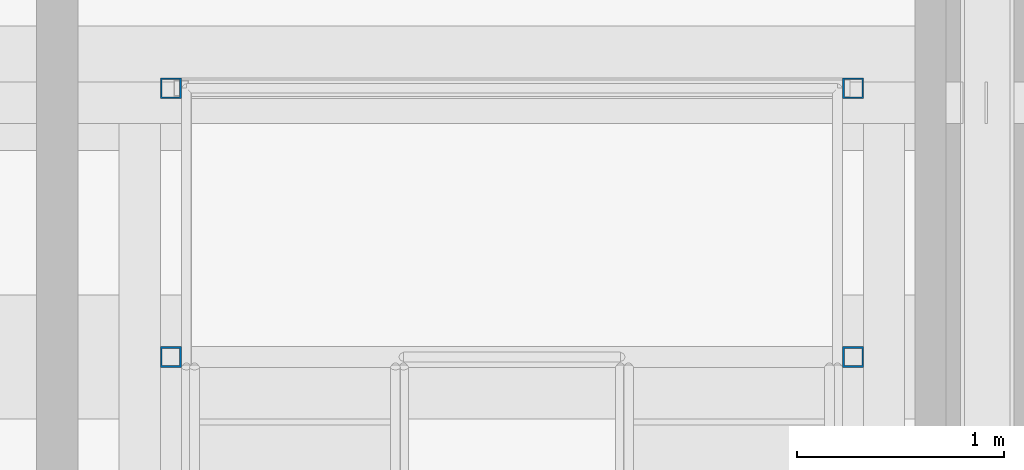
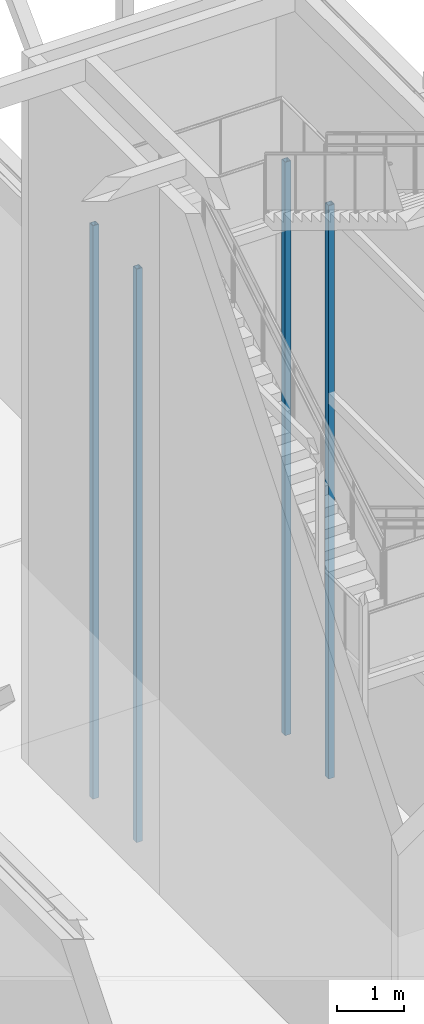
# One storey, part 4 of 646: 4 columns.
"""IFC4 building model written with IfcOpenShell, lengths in metres."""

import ifcopenshell
import ifcopenshell.guid

model = None  # the IFC model being written
_history = None  # IfcOwnerHistory: only IFC2X3 demands one
_inside = {}  # id of a spatial element -> (the spatial element, [elements in it])
_under = {}  # id of a project, library or spatial element -> (it, [spatial elements below it])
_declared = {}  # id of a project -> (the project, [libraries it declares])
_typed = {}  # id of a type object -> (the type object, [elements of that type])
_made_of = {}  # id of a material, layer set ... -> (it, [elements and type objects made of it])


def new_model(schema):
    """Start an empty IFC model of exactly this schema.

    Asked for "IFC4X3", IfcOpenShell would pick the latest addendum, in which some entities
    have other attributes; the version numbers below select the first issue.
    IFC2X3 requires an IfcOwnerHistory on every rooted entity: one is made here for all.
    """
    global model, _history
    if schema == "IFC4X3":
        model = ifcopenshell.file(schema_version=(4, 3, 0, 0))
    else:
        model = ifcopenshell.file(schema=schema)
    _inside.clear()
    _under.clear()
    _declared.clear()
    _typed.clear()
    _made_of.clear()
    _history = None
    if model.schema == "IFC2X3":
        org = make("IfcOrganization", Name="unknown")
        user = make(
            "IfcPersonAndOrganization",
            ThePerson=make("IfcPerson", FamilyName="unknown"),
            TheOrganization=org,
        )
        app = make(
            "IfcApplication",
            ApplicationDeveloper=org,
            Version="unknown",
            ApplicationFullName="unknown",
            ApplicationIdentifier="unknown",
        )
        _history = make(
            "IfcOwnerHistory",
            OwningUser=user,
            OwningApplication=app,
            ChangeAction="ADDED",
            CreationDate=0,
        )
    return model


def make(cls, **values):
    """One entity of the class cls with the attributes given. An attribute that is None is left unset."""
    return model.create_entity(
        cls, **{name: value for name, value in values.items() if value is not None}
    )


def rooted(cls, **values):
    """An entity with a GlobalId (a new one), such as an element, a storey or a relation."""
    return make(cls, GlobalId=ifcopenshell.guid.new(), OwnerHistory=_history, **values)


def si_unit(unit_type, name, prefix=None):
    """IfcSIUnit, for example si_unit("LENGTHUNIT", "METRE", prefix="MILLI")."""
    return make("IfcSIUnit", UnitType=unit_type, Prefix=prefix, Name=name)


def assignment(units):
    """IfcUnitAssignment: the units of a project."""
    return None if units is None else make("IfcUnitAssignment", Units=units)


def point(xyz):
    """IfcCartesianPoint."""
    return None if xyz is None else make("IfcCartesianPoint", Coordinates=xyz)


def direction(xyz):
    """IfcDirection."""
    return None if xyz is None else make("IfcDirection", DirectionRatios=xyz)


def frame(location, z_axis=None, x_axis=None):
    """IfcAxis2Placement3D, a coordinate frame: its origin and axes. An axis left out is left unset."""
    return make(
        "IfcAxis2Placement3D",
        Location=point(location),
        Axis=direction(z_axis),
        RefDirection=direction(x_axis),
    )


def frame_2d(location, x_axis=None):
    """IfcAxis2Placement2D, a coordinate frame in the plane: its origin and x axis."""
    return make(
        "IfcAxis2Placement2D", Location=point(location), RefDirection=direction(x_axis)
    )


def origin():
    """The frame at (0, 0, 0) with its axes left unset."""
    return frame((0.0, 0.0, 0.0))


def origin_2d():
    """The frame at (0, 0) in the plane with its x axis left unset."""
    return frame_2d((0.0, 0.0))


def place(relative_to, where):
    """IfcLocalPlacement: puts the frame where relative to a parent placement (None: the world)."""
    return make(
        "IfcLocalPlacement", PlacementRelTo=relative_to, RelativePlacement=where
    )


def context(
    kind, dimensions, precision=None, world=None, true_north=None, identifier=None
):
    """IfcGeometricRepresentationContext, for example the 3D "Model" context."""
    return make(
        "IfcGeometricRepresentationContext",
        ContextIdentifier=identifier,
        ContextType=kind,
        CoordinateSpaceDimension=dimensions,
        Precision=precision,
        WorldCoordinateSystem=world,
        TrueNorth=true_north,
    )


def subcontext(parent, identifier, kind, view, scale=None):
    """IfcGeometricRepresentationSubContext, for example "Body" below "Model"."""
    return make(
        "IfcGeometricRepresentationSubContext",
        ContextIdentifier=identifier,
        ContextType=kind,
        ParentContext=parent,
        TargetScale=scale,
        TargetView=view,
    )


def project(units=None, contexts=None):
    """IfcProject with its units and contexts."""
    return rooted(
        "IfcProject",
        Name="project",
        RepresentationContexts=contexts,
        UnitsInContext=assignment(units),
    )


def spatial(cls, under=None, at=None, **own):
    """A site, building, storey or space (cls), placed at a placement, below another one or the project."""
    s = rooted(cls, ObjectPlacement=at, **own)
    if under is not None:
        _under.setdefault(under.id(), (under, []))[1].append(s)
    return s


def profile(cls, at=None, kind="AREA", **sizes):
    """A parametric profile (cls). Its sizes go by their IFC names, for example OverallWidth=200.0."""
    return make(cls, ProfileType=kind, Position=at, **sizes)


def hollow_rectangle(**sizes):
    """IfcRectangleHollowProfileDef."""
    return profile("IfcRectangleHollowProfileDef", **sizes)


def extrude(swept, where, along, depth):
    """IfcExtrudedAreaSolid: the profile swept, set in the frame where, extruded along a direction by depth."""
    return make(
        "IfcExtrudedAreaSolid",
        SweptArea=swept,
        Position=where,
        ExtrudedDirection=direction(along),
        Depth=depth,
    )


def shape(context_of_items, identifier, shape_type, items):
    """IfcShapeRepresentation: the items that make up one representation, for example the "Body"."""
    return make(
        "IfcShapeRepresentation",
        ContextOfItems=context_of_items,
        RepresentationIdentifier=identifier,
        RepresentationType=shape_type,
        Items=items,
    )


def material(Name=None, Category=None):
    """IfcMaterial."""
    return make("IfcMaterial", Name=Name, Category=Category)


def material_profile(
    of_material, cross_section, Name=None, Category=None, Priority=None
):
    """IfcMaterialProfile: a cross section and its material."""
    return make(
        "IfcMaterialProfile",
        Name=Name,
        Material=of_material,
        Profile=cross_section,
        Priority=Priority,
        Category=Category,
    )


def profile_set(profiles, Name=None, composite=None):
    """IfcMaterialProfileSet."""
    return make(
        "IfcMaterialProfileSet",
        Name=Name,
        MaterialProfiles=profiles,
        CompositeProfile=composite,
    )


def made_of(thing, what):
    """Note that an element or type object is made of a material, layer set ...; save() writes the relation."""
    if what is not None:
        _made_of.setdefault(what.id(), (what, []))[1].append(thing)
    return thing


def type_object(cls, material=None, **own):
    """A type object (cls), such as IfcWallType, which elements share."""
    return made_of(rooted(cls, **own), material)


def element(
    cls,
    number,
    at=None,
    inside=None,
    cuts=None,
    type_object=None,
    material=None,
    context=None,
    identifier="Body",
    shape_type=None,
    held_by="IfcProductDefinitionShape",
    body=None,
    shapes=None,
    **own,
):
    """One element of the class cls, such as IfcWall. Its Tag is "e" and its number.

    at: its placement. inside: the storey or other place that contains it. cuts: it is an
    opening in that element (IfcRelVoidsElement). A single representation is given by context,
    identifier, shape_type and body (its items); several are given by shapes. held_by: the class
    of the entity that holds the representations. save() writes the other relations.
    """
    e = rooted(cls, Tag="e%d" % number, ObjectPlacement=at, **own)
    if body is not None:
        shapes = [shape(context, identifier, shape_type, body)]
    if shapes is not None:
        e.Representation = make(held_by, Representations=shapes)
    if inside is not None:
        _inside.setdefault(inside.id(), (inside, []))[1].append(e)
    if cuts is not None:
        rooted(
            "IfcRelVoidsElement", RelatingBuildingElement=cuts, RelatedOpeningElement=e
        )
    if type_object is not None:
        _typed.setdefault(type_object.id(), (type_object, []))[1].append(e)
    return made_of(e, material)


def aggregate(whole, parts):
    """IfcRelAggregates: a whole, such as a stair, and the parts it consists of."""
    return rooted("IfcRelAggregates", RelatingObject=whole, RelatedObjects=parts)


def save(model, path):
    """Write the relations noted so far, then the file.

    IfcRelAggregates (storeys below a building ...), IfcRelContainedInSpatialStructure (elements
    in a storey), IfcRelDefinesByType, IfcRelAssociatesMaterial and IfcRelDeclares: one each for
    every whole, place, type object, material and project.
    """
    for whole, parts in _under.values():
        aggregate(whole, parts)
    for where, things in _inside.values():
        rooted(
            "IfcRelContainedInSpatialStructure",
            RelatedElements=things,
            RelatingStructure=where,
        )
    for kind, things in _typed.values():
        rooted("IfcRelDefinesByType", RelatedObjects=things, RelatingType=kind)
    for what, things in _made_of.values():
        rooted("IfcRelAssociatesMaterial", RelatedObjects=things, RelatingMaterial=what)
    for by, libraries in _declared.values():
        rooted("IfcRelDeclares", RelatingContext=by, RelatedDefinitions=libraries)
    model.write(path)


model = new_model("IFC4")

# Units and contexts
model_context = context("Model", 3, precision=1e-05, world=origin(), true_north=direction((0.0, 1.0)))
body_context = subcontext(model_context, "Body", "Model", "MODEL_VIEW")
ifc_project = project(units=[si_unit("LENGTHUNIT", "METRE"), si_unit("AREAUNIT", "SQUARE_METRE"), si_unit("VOLUMEUNIT", "CUBIC_METRE"), si_unit("PLANEANGLEUNIT", "RADIAN"), si_unit("MASSUNIT", "GRAM", prefix="KILO")], contexts=[model_context])

# Site, building, storey
site_placement = place(None, origin())
site = spatial("IfcSite", under=ifc_project, at=site_placement, CompositionType="ELEMENT")
building_placement = place(site_placement, origin())
building = spatial("IfcBuilding", under=site, at=building_placement, Name="Silverbay Arena", CompositionType="ELEMENT")
storey_placement = place(building_placement, frame((0.0, 0.0, 33.5)))
storey = spatial("IfcBuildingStorey", under=building, at=storey_placement, Name="L05", CompositionType="ELEMENT", Elevation=33.5)

# Columns
ifc_material = material(Name="Steel S355", Category="steel")
ifc_material_profile = material_profile(ifc_material, hollow_rectangle(XDim=0.10009765625, YDim=0.10009765625, WallThickness=0.008056640625, at=origin_2d()), Name="SHS 100x100x8")
ifc_profile_set = profile_set([ifc_material_profile], Name="Steel S355")
column_type = type_object("IfcColumnType", Name="Roof access stair post SHS 100x100x8", PredefinedType="COLUMN", material=ifc_profile_set)
for number, where, z_axis, x_axis, name in (
    (1, (68.050048828125, 73.77001953125, -0.300048828125), (0.0, 0.0, 1.0), (1.0, 0.0, 0.0), "Stair RA1 L05 to ROOF post N1W"),
    (2, (71.35009765625, 73.77001953125, -0.300048828125), (0.0, 0.0, 1.0), (1.0, 0.0, 0.0), "Stair RA1 L05 to ROOF post N1E"),
    (3, (68.050048828125, 75.070068359375, -0.300048828125), (0.0, 0.0, 1.0), (1.0, 0.0, 0.0), "Stair RA1 L05 to ROOF post N2W"),
    (4, (71.35009765625, 75.070068359375, -0.300048828125), (0.0, 0.0, 1.0), (1.0, 0.0, 0.0), "Stair RA1 L05 to ROOF post N2E"),
):
    element("IfcColumn", number, at=place(storey_placement, frame(where, z_axis=z_axis, x_axis=x_axis)), inside=storey, type_object=column_type, Name=name, PredefinedType="COLUMN", context=body_context, shape_type="SweptSolid", body=[
        extrude(hollow_rectangle(XDim=0.10009765625, YDim=0.10009765625, WallThickness=0.008056640625, at=origin_2d()), origin(), (0.0, 0.0, 1.0), 10.420166015625),
    ])

save(model, "model.ifc")
